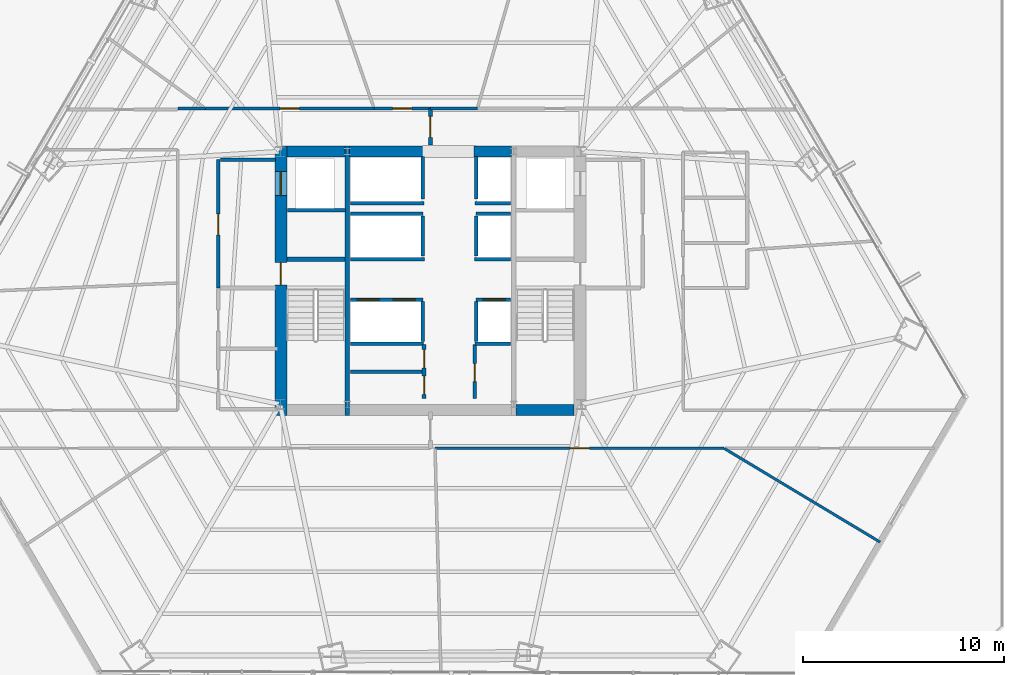
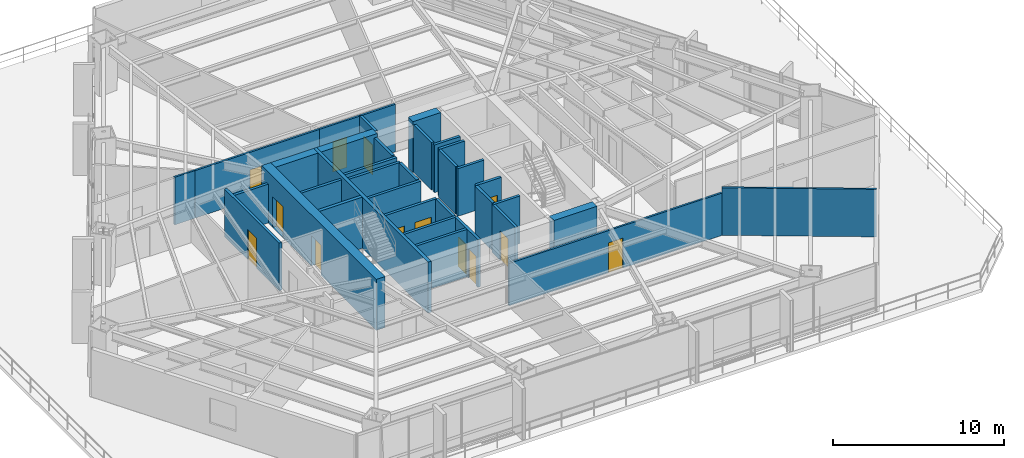
# One storey, part 29 of 35: 36 walls, 13 doors, 13 openings.
"""IFC4 building model written with IfcOpenShell, lengths in metres."""

from ifc_helpers import new_model, si_unit, direction, frame, frame_2d, origin, place, context, subcontext, project, spatial, rectangle, extrude, material, layer, layer_set, type_object, element, fill, save


model = new_model("IFC4")

# Units and contexts
model_context = context("Model", 3, precision=1e-05, world=origin(), true_north=direction((0.0, 1.0)))
body_context = subcontext(model_context, "Body", "Model", "MODEL_VIEW")
ifc_project = project(units=[si_unit("LENGTHUNIT", "METRE"), si_unit("AREAUNIT", "SQUARE_METRE"), si_unit("VOLUMEUNIT", "CUBIC_METRE"), si_unit("PLANEANGLEUNIT", "RADIAN"), si_unit("MASSUNIT", "GRAM", prefix="KILO")], contexts=[model_context])

# Site, building, storey
site_placement = place(None, origin())
site = spatial("IfcSite", under=ifc_project, at=site_placement, CompositionType="ELEMENT")
building_placement = place(site_placement, origin())
building = spatial("IfcBuilding", under=site, at=building_placement, Name="Caelisora Broadcast Tower", CompositionType="ELEMENT")
storey_placement = place(building_placement, frame((0.0, 0.0, 27.60009765625)))
storey = spatial("IfcBuildingStorey", under=building, at=storey_placement, Name="L06", CompositionType="ELEMENT", Elevation=27.60009765625)

# Wall, openings, doors
ifc_material_1 = material(Name="Concrete 65 MPa (AS 3600 S65)", Category="concrete")
ifc_layer_1 = layer(ifc_material_1, 0.60009765625, Name="Concrete 65 MPa (AS 3600 S65)")
ifc_layer_set_1 = layer_set([ifc_layer_1], Name="Concrete 65 MPa (AS 3600 S65)")
wall_type_1 = type_object("IfcWallType", Name="CW1", PredefinedType="SHEAR", material=ifc_layer_set_1)
wall_1_placement = place(storey_placement, frame((30.5400390625, 16.85009765625, 0.0), z_axis=(0.0, 0.0, 1.0), x_axis=(0.0, 1.0, 0.0)))
wall_1 = element("IfcWall", 1, at=wall_1_placement, inside=storey, type_object=wall_type_1, Name="L06 core shear wall CW1", PredefinedType="SHEAR", context=body_context, shape_type="SweptSolid", body=[
    extrude(rectangle(XDim=13.4248046875, YDim=0.60009765625, at=frame_2d((6.71240234375, 0.0))), origin(), (0.0, 0.0, 1.0), 3.64990234375),
])
opening_1_placement = place(wall_1_placement, frame((6.5, 0.0, 0.0)))
opening_1 = element("IfcOpeningElement", 2, at=opening_1_placement, cuts=wall_1, Name="Opening FD04", PredefinedType="OPENING", context=body_context, shape_type="SweptSolid", body=[
    extrude(rectangle(XDim=1.1201171875, YDim=2.14990234375, at=frame_2d((0.56005859375, 1.074951171875))), frame((0.0, 0.31201171875, 0.0), z_axis=(0.0, -1.0, 0.0), x_axis=(1.0, 0.0, 0.0)), (0.0, 0.0, 1.0), 0.6240234375),
])
opening_2_placement = place(wall_1_placement, frame((10.949951171875, 0.0, 0.0)))
opening_2 = element("IfcOpeningElement", 3, at=opening_2_placement, cuts=wall_1, Name="Opening LD04", PredefinedType="OPENING", context=body_context, shape_type="SweptSolid", body=[
    extrude(rectangle(XDim=1.199951171875, YDim=2.199951171875, at=frame_2d((0.60009765625, 1.10009765625))), frame((0.0, 0.31201171875, 0.0), z_axis=(0.0, -1.0, 0.0), x_axis=(1.0, 0.0, 0.0)), (0.0, 0.0, 1.0), 0.6240234375),
])
ifc_material_2 = material(Name="Pressurised Fire-Isolated Stair Door", Category="steel")
door_type_1 = type_object("IfcDoorType", Name="FD04", OperationType="NOTDEFINED", PredefinedType="DOOR", material=ifc_material_2)
door_1_placement = place(opening_1_placement, origin())
door_1 = element("IfcDoor", 4, at=door_1_placement, inside=storey, type_object=door_type_1, Name="L06 door FD04 (L06-DR-ST1)", OperationType="SINGLE_SWING_LEFT", OverallHeight=2.14990234375, OverallWidth=1.1201171875, PredefinedType="DOOR", context=body_context, shape_type="SweptSolid", body=[
    extrude(rectangle(XDim=1.1201171875, YDim=2.14990234375, at=frame_2d((0.56005859375, 1.074951171875))), frame((0.0, 0.02490234375, 0.0), z_axis=(0.0, -1.0, 0.0), x_axis=(1.0, 0.0, 0.0)), (0.0, 0.0, 1.0), 0.050048828125),
])
fill(opening_1, door_1)
ifc_material_3 = material(Name="Emergency Firefighting Lift Sliding Landing Door", Category="steel")
door_type_2 = type_object("IfcDoorType", Name="LD04", OperationType="NOTDEFINED", PredefinedType="DOOR", material=ifc_material_3)
door_2_placement = place(opening_2_placement, origin())
door_2 = element("IfcDoor", 5, at=door_2_placement, inside=storey, type_object=door_type_2, Name="L06 door LD04 (L06-LD-FFL1)", OperationType="SLIDING_TO_LEFT", OverallHeight=2.199951171875, OverallWidth=1.199951171875, PredefinedType="DOOR", context=body_context, shape_type="SweptSolid", body=[
    extrude(rectangle(XDim=1.199951171875, YDim=2.199951171875, at=frame_2d((0.60009765625, 1.10009765625))), frame((0.0, 0.02490234375, 0.0), z_axis=(0.0, -1.0, 0.0), x_axis=(1.0, 0.0, 0.0)), (0.0, 0.0, 1.0), 0.050048828125),
])
fill(opening_2, door_2)

# Walls
ifc_layer_2 = layer(ifc_material_1, 0.550048828125, Name="Concrete 65 MPa (AS 3600 S65)")
ifc_layer_set_2 = layer_set([ifc_layer_2], Name="Concrete 65 MPa (AS 3600 S65)")
wall_type_2 = type_object("IfcWallType", Name="CW4", PredefinedType="SHEAR", material=ifc_layer_set_2)
for number, where, z_axis, x_axis, name in (
    (6, (42.260009765625, 17.125, 0.0), (0.0, 0.0, 1.0), (1.0, 0.0, 0.0), "L06 core shear wall CW4"),
    (7, (30.840087890625, 30.0, 0.0), (0.0, 0.0, 1.0), (1.0, 0.0, 0.0), "L06 core shear wall CW4"),
):
    element("IfcWall", number, at=place(storey_placement, frame(where, z_axis=z_axis, x_axis=x_axis)), inside=storey, type_object=wall_type_2, Name=name, PredefinedType="SHEAR", context=body_context, shape_type="SweptSolid", body=[
        extrude(rectangle(XDim=2.89990234375, YDim=0.550048828125, at=frame_2d((1.449951171875, 0.0))), origin(), (0.0, 0.0, 1.0), 3.64990234375),
    ])
wall_2_placement = place(storey_placement, frame((33.9599609375, 30.0, 0.0), z_axis=(0.0, 0.0, 1.0), x_axis=(1.0, 0.0, 0.0)))
element("IfcWall", 8, at=wall_2_placement, inside=storey, type_object=wall_type_2, Name="L06 core shear wall CW4", PredefinedType="SHEAR", context=body_context, shape_type="SweptSolid", body=[
    extrude(rectangle(XDim=3.780029296875, YDim=0.550048828125, at=frame_2d((1.89013671875, 0.0))), origin(), (0.0, 0.0, 1.0), 3.64990234375),
])
wall_3_placement = place(storey_placement, frame((40.159912109375, 30.0, 0.0), z_axis=(0.0, 0.0, 1.0), x_axis=(1.0, 0.0, 0.0)))
element("IfcWall", 9, at=wall_3_placement, inside=storey, type_object=wall_type_2, Name="L06 core shear wall CW4", PredefinedType="SHEAR", context=body_context, shape_type="SweptSolid", body=[
    extrude(rectangle(XDim=1.880126953125, YDim=0.550048828125, at=frame_2d((0.93994140625, 0.0))), origin(), (0.0, 0.0, 1.0), 3.64990234375),
])
ifc_material_4 = material(Name="Concrete 50 MPa (AS 3600 S50)", Category="concrete")
ifc_layer_3 = layer(ifc_material_4, 0.219970703125, Name="Concrete 50 MPa (AS 3600 S50)")
ifc_layer_set_3 = layer_set([ifc_layer_3], Name="Concrete 50 MPa (AS 3600 S50)")
wall_type_3 = type_object("IfcWallType", Name="CW7", PredefinedType="SHEAR", material=ifc_layer_set_3)
wall_4_placement = place(storey_placement, frame((33.85009765625, 16.85009765625, 0.0), z_axis=(0.0, 0.0, 1.0), x_axis=(0.0, 1.0, 0.0)))
element("IfcWall", 10, at=wall_4_placement, inside=storey, type_object=wall_type_3, Name="L06 core shear wall CW7", PredefinedType="SHEAR", context=body_context, shape_type="SweptSolid", body=[
    extrude(rectangle(XDim=13.4248046875, YDim=0.219970703125, at=frame_2d((6.71240234375, 0.0))), origin(), (0.0, 0.0, 1.0), 3.64990234375),
])
wall_5_placement = place(storey_placement, frame((30.840087890625, 24.639892578125, 0.0), z_axis=(0.0, 0.0, 1.0), x_axis=(1.0, 0.0, 0.0)))
element("IfcWall", 11, at=wall_5_placement, inside=storey, type_object=wall_type_3, Name="L06 core shear wall CW7", PredefinedType="SHEAR", context=body_context, shape_type="SweptSolid", body=[
    extrude(rectangle(XDim=2.89990234375, YDim=0.219970703125, at=frame_2d((1.449951171875, 0.0))), origin(), (0.0, 0.0, 1.0), 3.64990234375),
])

# Wall, openings, doors
ifc_material_5 = material(Name="Fire-Rated Gypsum Shaft and Compartment Wall", Category="gypsum")
ifc_layer_4 = layer(ifc_material_5, 0.179931640625, Name="Fire-Rated Gypsum Shaft and Compartment Wall")
ifc_layer_set_4 = layer_set([ifc_layer_4], Name="Fire-Rated Gypsum Shaft and Compartment Wall")
wall_type_4 = type_object("IfcWallType", Name="PW2", PredefinedType="PARTITIONING", material=ifc_layer_set_4)
wall_6_placement = place(storey_placement, frame((34.02001953125, 22.6201171875, 0.0), z_axis=(0.0, 0.0, 1.0), x_axis=(1.0, 0.0, 0.0)))
wall_6 = element("IfcWall", 12, at=wall_6_placement, inside=storey, type_object=wall_type_4, Name="L06 fire compartment wall PW2", PredefinedType="PARTITIONING", context=body_context, shape_type="SweptSolid", body=[
    extrude(rectangle(XDim=3.60009765625, YDim=0.179931640625, at=frame_2d((1.800048828125, 0.0))), origin(), (0.0, 0.0, 1.0), 3.39990234375),
])
opening_3_placement = place(wall_6_placement, frame((0.320068359375, 0.0, 0.0)))
opening_3 = element("IfcOpeningElement", 13, at=opening_3_placement, cuts=wall_6, Name="Opening LD01", PredefinedType="OPENING", context=body_context, shape_type="SweptSolid", body=[
    extrude(rectangle(XDim=1.10009765625, YDim=2.199951171875, at=frame_2d((0.550048828125, 1.10009765625))), frame((0.0, 0.10205078125, 0.0), z_axis=(0.0, -1.0, 0.0), x_axis=(1.0, 0.0, 0.0)), (0.0, 0.0, 1.0), 0.203857421875),
])
opening_4_placement = place(wall_6_placement, frame((2.1201171875, 0.0, 0.0)))
opening_4 = element("IfcOpeningElement", 14, at=opening_4_placement, cuts=wall_6, Name="Opening LD01", PredefinedType="OPENING", context=body_context, shape_type="SweptSolid", body=[
    extrude(rectangle(XDim=1.10009765625, YDim=2.199951171875, at=frame_2d((0.550048828125, 1.10009765625))), frame((0.0, 0.10205078125, 0.0), z_axis=(0.0, -1.0, 0.0), x_axis=(1.0, 0.0, 0.0)), (0.0, 0.0, 1.0), 0.203857421875),
])
ifc_material_6 = material(Name="Stainless Steel Centre-Parting Lift Landing Door", Category="steel")
door_type_3 = type_object("IfcDoorType", Name="LD01", OperationType="NOTDEFINED", PredefinedType="DOOR", material=ifc_material_6)
door_3_placement = place(opening_3_placement, origin())
door_3 = element("IfcDoor", 15, at=door_3_placement, inside=storey, type_object=door_type_3, Name="L06 door LD01 (L06-LD-PLL1)", OperationType="SLIDING_TO_LEFT", OverallHeight=2.199951171875, OverallWidth=1.10009765625, PredefinedType="DOOR", context=body_context, shape_type="SweptSolid", body=[
    extrude(rectangle(XDim=1.10009765625, YDim=2.199951171875, at=frame_2d((0.550048828125, 1.10009765625))), frame((0.0, 0.02490234375, 0.0), z_axis=(0.0, -1.0, 0.0), x_axis=(1.0, 0.0, 0.0)), (0.0, 0.0, 1.0), 0.050048828125),
])
fill(opening_3, door_3)
door_4_placement = place(opening_4_placement, origin())
door_4 = element("IfcDoor", 16, at=door_4_placement, inside=storey, type_object=door_type_3, Name="L06 door LD01 (L06-LD-PLL2)", OperationType="SLIDING_TO_RIGHT", OverallHeight=2.199951171875, OverallWidth=1.10009765625, PredefinedType="DOOR", context=body_context, shape_type="SweptSolid", body=[
    extrude(rectangle(XDim=1.10009765625, YDim=2.199951171875, at=frame_2d((0.550048828125, 1.10009765625))), frame((0.0, 0.02490234375, 0.0), z_axis=(0.0, -1.0, 0.0), x_axis=(1.0, 0.0, 0.0)), (0.0, 0.0, 1.0), 0.050048828125),
])
fill(opening_4, door_4)

# Wall, opening, door
wall_7_placement = place(storey_placement, frame((40.280029296875, 22.6201171875, 0.0), z_axis=(0.0, 0.0, 1.0), x_axis=(1.0, 0.0, 0.0)))
wall_7 = element("IfcWall", 17, at=wall_7_placement, inside=storey, type_object=wall_type_4, Name="L06 fire compartment wall PW2", PredefinedType="PARTITIONING", context=body_context, shape_type="SweptSolid", body=[
    extrude(rectangle(XDim=1.699951171875, YDim=0.179931640625, at=frame_2d((0.85009765625, 0.0))), origin(), (0.0, 0.0, 1.0), 3.39990234375),
])
opening_5_placement = place(wall_7_placement, frame((0.35009765625, 0.0, 0.0)))
opening_5 = element("IfcOpeningElement", 18, at=opening_5_placement, cuts=wall_7, Name="Opening LD01", PredefinedType="OPENING", context=body_context, shape_type="SweptSolid", body=[
    extrude(rectangle(XDim=1.10009765625, YDim=2.199951171875, at=frame_2d((0.550048828125, 1.10009765625))), frame((0.0, 0.10205078125, 0.0), z_axis=(0.0, -1.0, 0.0), x_axis=(1.0, 0.0, 0.0)), (0.0, 0.0, 1.0), 0.203857421875),
])
door_5_placement = place(opening_5_placement, origin())
door_5 = element("IfcDoor", 19, at=door_5_placement, inside=storey, type_object=door_type_3, Name="L06 door LD01 (L06-LD-PLL3)", OperationType="SLIDING_TO_LEFT", OverallHeight=2.199951171875, OverallWidth=1.10009765625, PredefinedType="DOOR", context=body_context, shape_type="SweptSolid", body=[
    extrude(rectangle(XDim=1.10009765625, YDim=2.199951171875, at=frame_2d((0.550048828125, 1.10009765625))), frame((0.0, 0.02490234375, 0.0), z_axis=(0.0, -1.0, 0.0), x_axis=(1.0, 0.0, 0.0)), (0.0, 0.0, 1.0), 0.050048828125),
])
fill(opening_5, door_5)

# Walls
for number, where, z_axis, x_axis, name in (
    (20, (37.6201171875, 20.52001953125, 0.0), (0.0, 0.0, 1.0), (0.0, 1.0, 0.0), "L06 fire compartment wall PW2"),
    (21, (40.280029296875, 20.52001953125, 0.0), (0.0, 0.0, 1.0), (0.0, 1.0, 0.0), "L06 fire compartment wall PW2"),
):
    element("IfcWall", number, at=place(storey_placement, frame(where, z_axis=z_axis, x_axis=x_axis)), inside=storey, type_object=wall_type_4, Name=name, PredefinedType="PARTITIONING", context=body_context, shape_type="SweptSolid", body=[
        extrude(rectangle(XDim=2.0, YDim=0.179931640625, at=frame_2d((1.0, 0.0))), origin(), (0.0, 0.0, 1.0), 3.39990234375),
    ])
wall_8_placement = place(storey_placement, frame((34.02001953125, 26.89990234375, 0.0), z_axis=(0.0, 0.0, 1.0), x_axis=(1.0, 0.0, 0.0)))
element("IfcWall", 22, at=wall_8_placement, inside=storey, type_object=wall_type_4, Name="L06 fire compartment wall PW2", PredefinedType="PARTITIONING", context=body_context, shape_type="SweptSolid", body=[
    extrude(rectangle(XDim=3.60009765625, YDim=0.179931640625, at=frame_2d((1.800048828125, 0.0))), origin(), (0.0, 0.0, 1.0), 3.39990234375),
])
wall_9_placement = place(storey_placement, frame((40.280029296875, 26.89990234375, 0.0), z_axis=(0.0, 0.0, 1.0), x_axis=(1.0, 0.0, 0.0)))
element("IfcWall", 23, at=wall_9_placement, inside=storey, type_object=wall_type_4, Name="L06 fire compartment wall PW2", PredefinedType="PARTITIONING", context=body_context, shape_type="SweptSolid", body=[
    extrude(rectangle(XDim=1.699951171875, YDim=0.179931640625, at=frame_2d((0.85009765625, 0.0))), origin(), (0.0, 0.0, 1.0), 3.39990234375),
])
for number, where, z_axis, x_axis, name in (
    (24, (37.6201171875, 24.800048828125, 0.0), (0.0, 0.0, 1.0), (0.0, 1.0, 0.0), "L06 fire compartment wall PW2"),
    (25, (40.280029296875, 24.800048828125, 0.0), (0.0, 0.0, 1.0), (0.0, 1.0, 0.0), "L06 fire compartment wall PW2"),
):
    element("IfcWall", number, at=place(storey_placement, frame(where, z_axis=z_axis, x_axis=x_axis)), inside=storey, type_object=wall_type_4, Name=name, PredefinedType="PARTITIONING", context=body_context, shape_type="SweptSolid", body=[
        extrude(rectangle(XDim=2.0, YDim=0.179931640625, at=frame_2d((1.0, 0.0))), origin(), (0.0, 0.0, 1.0), 3.39990234375),
    ])
wall_10_placement = place(storey_placement, frame((34.02001953125, 24.639892578125, 0.0), z_axis=(0.0, 0.0, 1.0), x_axis=(1.0, 0.0, 0.0)))
element("IfcWall", 26, at=wall_10_placement, inside=storey, type_object=wall_type_4, Name="L06 fire compartment wall PW2", PredefinedType="PARTITIONING", context=body_context, shape_type="SweptSolid", body=[
    extrude(rectangle(XDim=3.679931640625, YDim=0.179931640625, at=frame_2d((1.83984375, 0.0))), origin(), (0.0, 0.0, 1.0), 3.39990234375),
])
wall_11_placement = place(storey_placement, frame((40.199951171875, 24.639892578125, 0.0), z_axis=(0.0, 0.0, 1.0), x_axis=(1.0, 0.0, 0.0)))
element("IfcWall", 27, at=wall_11_placement, inside=storey, type_object=wall_type_4, Name="L06 fire compartment wall PW2", PredefinedType="PARTITIONING", context=body_context, shape_type="SweptSolid", body=[
    extrude(rectangle(XDim=1.780029296875, YDim=0.179931640625, at=frame_2d((0.89013671875, 0.0))), origin(), (0.0, 0.0, 1.0), 3.39990234375),
])
wall_12_placement = place(storey_placement, frame((34.02001953125, 27.419921875, 0.0), z_axis=(0.0, 0.0, 1.0), x_axis=(1.0, 0.0, 0.0)))
element("IfcWall", 28, at=wall_12_placement, inside=storey, type_object=wall_type_4, Name="L06 fire compartment wall PW2", PredefinedType="PARTITIONING", context=body_context, shape_type="SweptSolid", body=[
    extrude(rectangle(XDim=3.659912109375, YDim=0.179931640625, at=frame_2d((1.830078125, 0.0))), origin(), (0.0, 0.0, 1.0), 3.39990234375),
])
wall_13_placement = place(storey_placement, frame((40.219970703125, 27.419921875, 0.0), z_axis=(0.0, 0.0, 1.0), x_axis=(1.0, 0.0, 0.0)))
element("IfcWall", 29, at=wall_13_placement, inside=storey, type_object=wall_type_4, Name="L06 fire compartment wall PW2", PredefinedType="PARTITIONING", context=body_context, shape_type="SweptSolid", body=[
    extrude(rectangle(XDim=1.760009765625, YDim=0.179931640625, at=frame_2d((0.8798828125, 0.0))), origin(), (0.0, 0.0, 1.0), 3.39990234375),
])
for number, where, z_axis, x_axis, name in (
    (30, (37.6201171875, 27.639892578125, 0.0), (0.0, 0.0, 1.0), (0.0, 1.0, 0.0), "L06 fire compartment wall PW2"),
    (31, (40.280029296875, 27.639892578125, 0.0), (0.0, 0.0, 1.0), (0.0, 1.0, 0.0), "L06 fire compartment wall PW2"),
):
    element("IfcWall", number, at=place(storey_placement, frame(where, z_axis=z_axis, x_axis=x_axis)), inside=storey, type_object=wall_type_4, Name=name, PredefinedType="PARTITIONING", context=body_context, shape_type="SweptSolid", body=[
        extrude(rectangle(XDim=2.110107421875, YDim=0.179931640625, at=frame_2d((1.05517578125, 0.0))), origin(), (0.0, 0.0, 1.0), 3.39990234375),
    ])

# Wall, opening, door
wall_14_placement = place(storey_placement, frame((27.419921875, 23.199951171875, 0.0), z_axis=(0.0, 0.0, 1.0), x_axis=(0.0, 1.0, 0.0)))
wall_14 = element("IfcWall", 32, at=wall_14_placement, inside=storey, type_object=wall_type_4, Name="L06 fire compartment wall PW2", PredefinedType="PARTITIONING", context=body_context, shape_type="SweptSolid", body=[
    extrude(rectangle(XDim=6.400146484375, YDim=0.179931640625, at=frame_2d((3.2001953125, 0.0))), origin(), (0.0, 0.0, 1.0), 3.39990234375),
])
opening_6_placement = place(wall_14_placement, frame((2.64990234375, 0.0, 0.0)))
opening_6 = element("IfcOpeningElement", 33, at=opening_6_placement, cuts=wall_14, Name="Opening FD02", PredefinedType="OPENING", context=body_context, shape_type="SweptSolid", body=[
    extrude(rectangle(XDim=1.050048828125, YDim=2.14990234375, at=frame_2d((0.52490234375, 1.074951171875))), frame((0.0, 0.10205078125, 0.0), z_axis=(0.0, -1.0, 0.0), x_axis=(1.0, 0.0, 0.0)), (0.0, 0.0, 1.0), 0.203857421875),
])
ifc_material_7 = material(Name="Single-Leaf Steel Fire Lobby Door", Category="steel")
door_type_4 = type_object("IfcDoorType", Name="FD02", OperationType="NOTDEFINED", PredefinedType="DOOR", material=ifc_material_7)
door_6_placement = place(opening_6_placement, origin())
door_6 = element("IfcDoor", 34, at=door_6_placement, inside=storey, type_object=door_type_4, Name="L06 door FD02 (L06-DR-P01D1)", OperationType="SINGLE_SWING_LEFT", OverallHeight=2.14990234375, OverallWidth=1.050048828125, PredefinedType="DOOR", context=body_context, shape_type="SweptSolid", body=[
    extrude(rectangle(XDim=1.050048828125, YDim=2.14990234375, at=frame_2d((0.52490234375, 1.074951171875))), frame((0.0, 0.02490234375, 0.0), z_axis=(0.0, -1.0, 0.0), x_axis=(1.0, 0.0, 0.0)), (0.0, 0.0, 1.0), 0.050048828125),
])
fill(opening_6, door_6)

# Walls
wall_15_placement = place(storey_placement, frame((27.52001953125, 29.60009765625, 0.0), z_axis=(0.0, 0.0, 1.0), x_axis=(1.0, 0.0, 0.0)))
element("IfcWall", 35, at=wall_15_placement, inside=storey, type_object=wall_type_4, Name="L06 fire compartment wall PW2", PredefinedType="PARTITIONING", context=body_context, shape_type="SweptSolid", body=[
    extrude(rectangle(XDim=2.760009765625, YDim=0.179931640625, at=frame_2d((1.3798828125, 0.0))), origin(), (0.0, 0.0, 1.0), 2.78271484375),
])
wall_16_placement = place(storey_placement, frame((30.860107421875, 27.070068359375, 0.0), z_axis=(0.0, 0.0, 1.0), x_axis=(1.0, 0.0, 0.0)))
element("IfcWall", 36, at=wall_16_placement, inside=storey, type_object=wall_type_4, Name="L06 fire compartment wall PW2", PredefinedType="PARTITIONING", context=body_context, shape_type="SweptSolid", body=[
    extrude(rectangle(XDim=2.89990234375, YDim=0.179931640625, at=frame_2d((1.449951171875, 0.0))), origin(), (0.0, 0.0, 1.0), 3.39990234375),
])
wall_17_placement = place(storey_placement, frame((34.02001953125, 20.419921875, 0.0), z_axis=(0.0, 0.0, 1.0), x_axis=(1.0, 0.0, 0.0)))
element("IfcWall", 37, at=wall_17_placement, inside=storey, type_object=wall_type_4, Name="L06 fire compartment wall PW2", PredefinedType="PARTITIONING", context=body_context, shape_type="SweptSolid", body=[
    extrude(rectangle(XDim=3.639892578125, YDim=0.179931640625, at=frame_2d((1.81982421875, 0.0))), origin(), (0.0, 0.0, 1.0), 3.39990234375),
])
wall_18_placement = place(storey_placement, frame((40.219970703125, 20.419921875, 0.0), z_axis=(0.0, 0.0, 1.0), x_axis=(1.0, 0.0, 0.0)))
element("IfcWall", 38, at=wall_18_placement, inside=storey, type_object=wall_type_4, Name="L06 fire compartment wall PW2", PredefinedType="PARTITIONING", context=body_context, shape_type="SweptSolid", body=[
    extrude(rectangle(XDim=1.760009765625, YDim=0.179931640625, at=frame_2d((0.8798828125, 0.0))), origin(), (0.0, 0.0, 1.0), 3.39990234375),
])
wall_19_placement = place(storey_placement, frame((34.02001953125, 19.02001953125, 0.0), z_axis=(0.0, 0.0, 1.0), x_axis=(1.0, 0.0, 0.0)))
element("IfcWall", 39, at=wall_19_placement, inside=storey, type_object=wall_type_4, Name="L06 fire compartment wall PW2", PredefinedType="PARTITIONING", context=body_context, shape_type="SweptSolid", body=[
    extrude(rectangle(XDim=3.580078125, YDim=0.179931640625, at=frame_2d((1.7900390625, 0.0))), origin(), (0.0, 0.0, 1.0), 3.39990234375),
])

# Wall, openings, doors
wall_20_placement = place(storey_placement, frame((37.679931640625, 17.679931640625, 0.0), z_axis=(0.0, 0.0, 1.0), x_axis=(0.0, 1.0, 0.0)))
wall_20 = element("IfcWall", 40, at=wall_20_placement, inside=storey, type_object=wall_type_4, Name="L06 fire compartment wall PW2", PredefinedType="PARTITIONING", context=body_context, shape_type="SweptSolid", body=[
    extrude(rectangle(XDim=2.699951171875, YDim=0.179931640625, at=frame_2d((1.35009765625, 0.0))), origin(), (0.0, 0.0, 1.0), 3.39990234375),
])
opening_7_placement = place(wall_20_placement, frame((0.219970703125, 0.0, 0.0)))
opening_7 = element("IfcOpeningElement", 41, at=opening_7_placement, cuts=wall_20, Name="Opening FD03", PredefinedType="OPENING", context=body_context, shape_type="SweptSolid", body=[
    extrude(rectangle(XDim=0.89990234375, YDim=2.10009765625, at=frame_2d((0.449951171875, 1.050048828125))), frame((0.0, 0.10205078125, 0.0), z_axis=(0.0, -1.0, 0.0), x_axis=(1.0, 0.0, 0.0)), (0.0, 0.0, 1.0), 0.203857421875),
])
opening_8_placement = place(wall_20_placement, frame((1.5400390625, 0.0, 0.0)))
opening_8 = element("IfcOpeningElement", 42, at=opening_8_placement, cuts=wall_20, Name="Opening FD03", PredefinedType="OPENING", context=body_context, shape_type="SweptSolid", body=[
    extrude(rectangle(XDim=0.89990234375, YDim=2.10009765625, at=frame_2d((0.449951171875, 1.050048828125))), frame((0.0, 0.10205078125, 0.0), z_axis=(0.0, -1.0, 0.0), x_axis=(1.0, 0.0, 0.0)), (0.0, 0.0, 1.0), 0.203857421875),
])
ifc_material_8 = material(Name="Single-Leaf Steel Riser Fire Access Door", Category="steel")
door_type_5 = type_object("IfcDoorType", Name="FD03", OperationType="NOTDEFINED", PredefinedType="DOOR", material=ifc_material_8)
door_7_placement = place(opening_7_placement, origin())
door_7 = element("IfcDoor", 43, at=door_7_placement, inside=storey, type_object=door_type_5, Name="L06 door FD03 (L06-DR-P12D1)", OperationType="SINGLE_SWING_LEFT", OverallHeight=2.10009765625, OverallWidth=0.89990234375, PredefinedType="DOOR", context=body_context, shape_type="SweptSolid", body=[
    extrude(rectangle(XDim=0.89990234375, YDim=2.10009765625, at=frame_2d((0.449951171875, 1.050048828125))), frame((0.0, 0.02490234375, 0.0), z_axis=(0.0, -1.0, 0.0), x_axis=(1.0, 0.0, 0.0)), (0.0, 0.0, 1.0), 0.050048828125),
])
fill(opening_7, door_7)
door_8_placement = place(opening_8_placement, origin())
door_8 = element("IfcDoor", 44, at=door_8_placement, inside=storey, type_object=door_type_5, Name="L06 door FD03 (L06-DR-P12D2)", OperationType="SINGLE_SWING_RIGHT", OverallHeight=2.10009765625, OverallWidth=0.89990234375, PredefinedType="DOOR", context=body_context, shape_type="SweptSolid", body=[
    extrude(rectangle(XDim=0.89990234375, YDim=2.10009765625, at=frame_2d((0.449951171875, 1.050048828125))), frame((0.0, 0.02490234375, 0.0), z_axis=(0.0, -1.0, 0.0), x_axis=(1.0, 0.0, 0.0)), (0.0, 0.0, 1.0), 0.050048828125),
])
fill(opening_8, door_8)

# Wall, opening, door
wall_21_placement = place(storey_placement, frame((40.199951171875, 17.679931640625, 0.0), z_axis=(0.0, 0.0, 1.0), x_axis=(0.0, 1.0, 0.0)))
wall_21 = element("IfcWall", 45, at=wall_21_placement, inside=storey, type_object=wall_type_4, Name="L06 fire compartment wall PW2", PredefinedType="PARTITIONING", context=body_context, shape_type="SweptSolid", body=[
    extrude(rectangle(XDim=2.699951171875, YDim=0.179931640625, at=frame_2d((1.35009765625, 0.0))), origin(), (0.0, 0.0, 1.0), 3.39990234375),
])
opening_9_placement = place(wall_21_placement, frame((0.85009765625, 0.0, 0.0)))
opening_9 = element("IfcOpeningElement", 46, at=opening_9_placement, cuts=wall_21, Name="Opening FD03", PredefinedType="OPENING", context=body_context, shape_type="SweptSolid", body=[
    extrude(rectangle(XDim=0.89990234375, YDim=2.10009765625, at=frame_2d((0.449951171875, 1.050048828125))), frame((0.0, 0.10205078125, 0.0), z_axis=(0.0, -1.0, 0.0), x_axis=(1.0, 0.0, 0.0)), (0.0, 0.0, 1.0), 0.203857421875),
])
door_9_placement = place(opening_9_placement, origin())
door_9 = element("IfcDoor", 47, at=door_9_placement, inside=storey, type_object=door_type_5, Name="L06 door FD03 (L06-DR-P13D1)", OperationType="SINGLE_SWING_LEFT", OverallHeight=2.10009765625, OverallWidth=0.89990234375, PredefinedType="DOOR", context=body_context, shape_type="SweptSolid", body=[
    extrude(rectangle(XDim=0.89990234375, YDim=2.10009765625, at=frame_2d((0.449951171875, 1.050048828125))), frame((0.0, 0.02490234375, 0.0), z_axis=(0.0, -1.0, 0.0), x_axis=(1.0, 0.0, 0.0)), (0.0, 0.0, 1.0), 0.050048828125),
])
fill(opening_9, door_9)

wall_22_placement = place(storey_placement, frame((38.0, 30.320068359375, 0.0), z_axis=(0.0, 0.0, 1.0), x_axis=(0.0, 1.0, 0.0)))
wall_22 = element("IfcWall", 48, at=wall_22_placement, inside=storey, type_object=wall_type_4, Name="L06 fire compartment wall PW2", PredefinedType="PARTITIONING", context=body_context, shape_type="SweptSolid", body=[
    extrude(rectangle(XDim=1.824951171875, YDim=0.179931640625, at=frame_2d((0.91259765625, 0.0))), origin(), (0.0, 0.0, 1.0), 3.39990234375),
])
opening_10_placement = place(wall_22_placement, frame((0.387939453125, 0.0, 0.0)))
opening_10 = element("IfcOpeningElement", 49, at=opening_10_placement, cuts=wall_22, Name="Opening FD02", PredefinedType="OPENING", context=body_context, shape_type="SweptSolid", body=[
    extrude(rectangle(XDim=1.050048828125, YDim=2.14990234375, at=frame_2d((0.52490234375, 1.074951171875))), frame((0.0, 0.10205078125, 0.0), z_axis=(0.0, -1.0, 0.0), x_axis=(1.0, 0.0, 0.0)), (0.0, 0.0, 1.0), 0.203857421875),
])
door_10_placement = place(opening_10_placement, origin())
door_10 = element("IfcDoor", 50, at=door_10_placement, inside=storey, type_object=door_type_4, Name="L06 door FD02 (L06-DR-P55D1)", OperationType="SINGLE_SWING_RIGHT", OverallHeight=2.14990234375, OverallWidth=1.050048828125, PredefinedType="DOOR", context=body_context, shape_type="SweptSolid", body=[
    extrude(rectangle(XDim=1.050048828125, YDim=2.14990234375, at=frame_2d((0.52490234375, 1.074951171875))), frame((0.0, 0.02490234375, 0.0), z_axis=(0.0, -1.0, 0.0), x_axis=(1.0, 0.0, 0.0)), (0.0, 0.0, 1.0), 0.050048828125),
])
fill(opening_10, door_10)

ifc_material_9 = material(Name="Acoustic Steel-Stud Plasterboard Partition", Category="gypsum")
ifc_layer_5 = layer(ifc_material_9, 0.1298828125, Name="Acoustic Steel-Stud Plasterboard Partition")
ifc_layer_set_5 = layer_set([ifc_layer_5], Name="Acoustic Steel-Stud Plasterboard Partition")
wall_type_5 = type_object("IfcWallType", Name="PW3", PredefinedType="PARTITIONING", material=ifc_layer_set_5)
wall_23_placement = place(storey_placement, frame((38.235107421875, 15.199951171875, 0.0), z_axis=(0.0, 0.0, 1.0), x_axis=(1.0, 0.0, 0.0)))
wall_23 = element("IfcWall", 51, at=wall_23_placement, inside=storey, type_object=wall_type_5, Name="L06 internal partition PW3", PredefinedType="PARTITIONING", context=body_context, shape_type="SweptSolid", body=[
    extrude(rectangle(XDim=14.409912109375, YDim=0.1298828125, at=frame_2d((7.205078125, 0.0))), origin(), (0.0, 0.0, 1.0), 3.0263671875),
])
opening_11_placement = place(wall_23_placement, frame((6.72509765625, 0.0, 0.0)))
opening_11 = element("IfcOpeningElement", 52, at=opening_11_placement, cuts=wall_23, Name="Opening D01", PredefinedType="OPENING", context=body_context, shape_type="SweptSolid", body=[
    extrude(rectangle(XDim=0.9599609375, YDim=2.14990234375, at=frame_2d((0.47998046875, 1.074951171875))), frame((0.0, 0.076904296875, 0.0), z_axis=(0.0, -1.0, 0.0), x_axis=(1.0, 0.0, 0.0)), (0.0, 0.0, 1.0), 0.15380859375),
])
ifc_material_10 = material(Name="Solid-Core Timber Acoustic Office Door", Category="wood")
door_type_6 = type_object("IfcDoorType", Name="D01", OperationType="NOTDEFINED", PredefinedType="DOOR", material=ifc_material_10)
door_11_placement = place(opening_11_placement, origin())
door_11 = element("IfcDoor", 53, at=door_11_placement, inside=storey, type_object=door_type_6, Name="L06 door D01 (L06-DR-P29D1)", OperationType="SINGLE_SWING_LEFT", OverallHeight=2.14990234375, OverallWidth=0.9599609375, PredefinedType="DOOR", context=body_context, shape_type="SweptSolid", body=[
    extrude(rectangle(XDim=0.9599609375, YDim=2.14990234375, at=frame_2d((0.47998046875, 1.074951171875))), frame((0.0, 0.02490234375, 0.0), z_axis=(0.0, -1.0, 0.0), x_axis=(1.0, 0.0, 0.0)), (0.0, 0.0, 1.0), 0.050048828125),
])
fill(opening_11, door_11)

# Wall
wall_24_placement = place(storey_placement, frame((52.654052734375, 15.197021484375, 0.0), z_axis=(0.0, 0.0, 1.0), x_axis=(0.857128938837, -0.515101914389, 0.0)))
element("IfcWall", 54, at=wall_24_placement, inside=storey, type_object=wall_type_5, Name="L06 internal partition PW3", PredefinedType="PARTITIONING", context=body_context, shape_type="SweptSolid", body=[
    extrude(rectangle(XDim=9.060302734375, YDim=0.1298828125, at=frame_2d((4.5302734375, 0.0))), origin(), (0.0, 0.0, 1.0), 3.39990234375),
])

# Wall, opening, door
wall_25_placement = place(storey_placement, frame((26.784912109375, 32.14990234375, 0.0), z_axis=(0.0, 0.0, 1.0), x_axis=(1.0, 0.0, 0.0)))
wall_25 = element("IfcWall", 55, at=wall_25_placement, inside=storey, type_object=wall_type_5, Name="L06 internal partition PW3", PredefinedType="PARTITIONING", context=body_context, shape_type="SweptSolid", body=[
    extrude(rectangle(XDim=8.400146484375, YDim=0.1298828125, at=frame_2d((4.2001953125, 0.0))), origin(), (0.0, 0.0, 1.0), 3.39990234375),
])
opening_12_placement = place(wall_25_placement, frame((3.719970703125, 0.0, 0.0)))
opening_12 = element("IfcOpeningElement", 56, at=opening_12_placement, cuts=wall_25, Name="Opening D01", PredefinedType="OPENING", context=body_context, shape_type="SweptSolid", body=[
    extrude(rectangle(XDim=0.9599609375, YDim=2.14990234375, at=frame_2d((0.47998046875, 1.074951171875))), frame((0.0, 0.076904296875, 0.0), z_axis=(0.0, -1.0, 0.0), x_axis=(1.0, 0.0, 0.0)), (0.0, 0.0, 1.0), 0.15380859375),
])
door_12_placement = place(opening_12_placement, origin())
door_12 = element("IfcDoor", 57, at=door_12_placement, inside=storey, type_object=door_type_6, Name="L06 door D01 (L06-DR-P39D1)", OperationType="SINGLE_SWING_LEFT", OverallHeight=2.14990234375, OverallWidth=0.9599609375, PredefinedType="DOOR", context=body_context, shape_type="SweptSolid", body=[
    extrude(rectangle(XDim=0.9599609375, YDim=2.14990234375, at=frame_2d((0.47998046875, 1.074951171875))), frame((0.0, 0.02490234375, 0.0), z_axis=(0.0, -1.0, 0.0), x_axis=(1.0, 0.0, 0.0)), (0.0, 0.0, 1.0), 0.050048828125),
])
fill(opening_12, door_12)

wall_26_placement = place(storey_placement, frame((35.195068359375, 32.14990234375, 0.0), z_axis=(0.0, 0.0, 1.0), x_axis=(1.0, 0.0, 0.0)))
wall_26 = element("IfcWall", 58, at=wall_26_placement, inside=storey, type_object=wall_type_5, Name="L06 internal partition PW3", PredefinedType="PARTITIONING", context=body_context, shape_type="SweptSolid", body=[
    extrude(rectangle(XDim=2.800048828125, YDim=0.1298828125, at=frame_2d((1.39990234375, 0.0))), origin(), (0.0, 0.0, 1.0), 3.39990234375),
])
opening_13_placement = place(wall_26_placement, frame((0.919921875, 0.0, 0.0)))
opening_13 = element("IfcOpeningElement", 59, at=opening_13_placement, cuts=wall_26, Name="Opening D01", PredefinedType="OPENING", context=body_context, shape_type="SweptSolid", body=[
    extrude(rectangle(XDim=0.9599609375, YDim=2.14990234375, at=frame_2d((0.47998046875, 1.074951171875))), frame((0.0, 0.076904296875, 0.0), z_axis=(0.0, -1.0, 0.0), x_axis=(1.0, 0.0, 0.0)), (0.0, 0.0, 1.0), 0.15380859375),
])
door_13_placement = place(opening_13_placement, origin())
door_13 = element("IfcDoor", 60, at=door_13_placement, inside=storey, type_object=door_type_6, Name="L06 door D01 (L06-DR-P51D1)", OperationType="SINGLE_SWING_RIGHT", OverallHeight=2.14990234375, OverallWidth=0.9599609375, PredefinedType="DOOR", context=body_context, shape_type="SweptSolid", body=[
    extrude(rectangle(XDim=0.9599609375, YDim=2.14990234375, at=frame_2d((0.47998046875, 1.074951171875))), frame((0.0, 0.02490234375, 0.0), z_axis=(0.0, -1.0, 0.0), x_axis=(1.0, 0.0, 0.0)), (0.0, 0.0, 1.0), 0.050048828125),
])
fill(opening_13, door_13)

# Walls
wall_27_placement = place(storey_placement, frame((38.0048828125, 32.14990234375, 0.0), z_axis=(0.0, 0.0, 1.0), x_axis=(1.0, 0.0, 0.0)))
element("IfcWall", 61, at=wall_27_placement, inside=storey, type_object=wall_type_5, Name="L06 internal partition PW3", PredefinedType="PARTITIONING", context=body_context, shape_type="SweptSolid", body=[
    extrude(rectangle(XDim=2.330078125, YDim=0.1298828125, at=frame_2d((1.1650390625, 0.0))), origin(), (0.0, 0.0, 1.0), 3.39990234375),
])
wall_28_placement = place(storey_placement, frame((25.405029296875, 32.14990234375, 0.0), z_axis=(0.0, 0.0, 1.0), x_axis=(1.0, 0.0, 0.0)))
element("IfcWall", 62, at=wall_28_placement, inside=storey, type_object=wall_type_5, Name="L06 internal partition PW3", PredefinedType="PARTITIONING", context=body_context, shape_type="SweptSolid", body=[
    extrude(rectangle(XDim=1.369873046875, YDim=0.1298828125, at=frame_2d((0.68505859375, 0.0))), origin(), (0.0, 0.0, 1.0), 3.39990234375),
])

save(model, "model.ifc")
